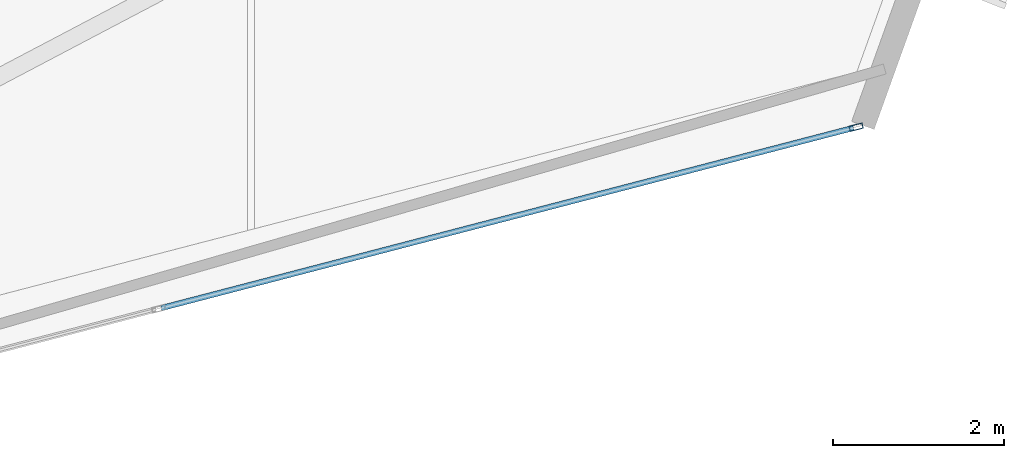
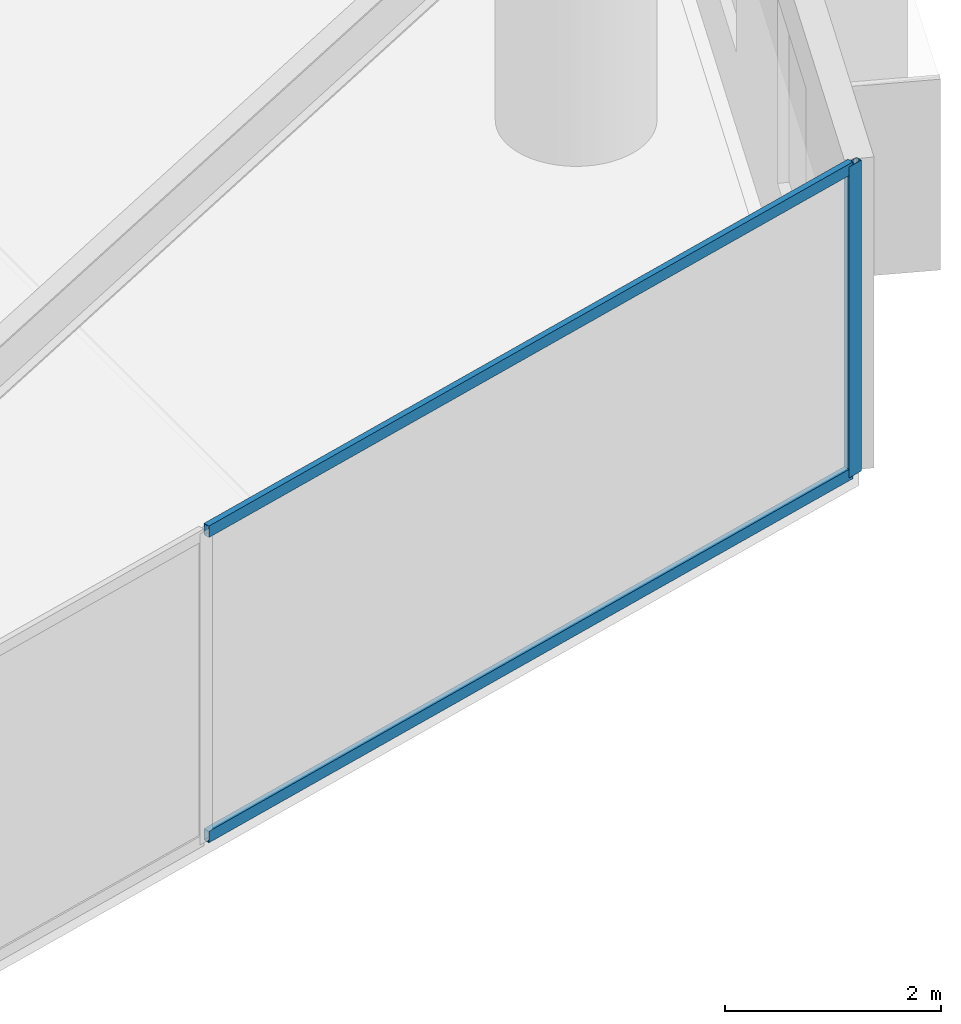
# One storey, part 12 of 21: 3 members, 1 element without a shape of its own.
"""IFC4 building model written with IfcOpenShell, lengths in metres."""

from ifc_helpers import new_model, si_unit, direction, frame, origin, origin_2d, place, context, subcontext, project, spatial, hollow_rectangle, extrude, material, layer, layer_set, material_profile, profile_set, type_object, element, aggregate, save


model = new_model("IFC4")

# Units and contexts
model_context = context("Model", 3, precision=1e-05, world=origin(), true_north=direction((0.0, 1.0)))
body_context = subcontext(model_context, "Body", "Model", "MODEL_VIEW")
ifc_project = project(units=[si_unit("LENGTHUNIT", "METRE"), si_unit("AREAUNIT", "SQUARE_METRE"), si_unit("VOLUMEUNIT", "CUBIC_METRE"), si_unit("PLANEANGLEUNIT", "RADIAN"), si_unit("MASSUNIT", "GRAM", prefix="KILO")], contexts=[model_context])

# Site, building, storey
site_placement = place(None, origin())
site = spatial("IfcSite", under=ifc_project, at=site_placement, CompositionType="ELEMENT")
building_placement = place(site_placement, origin())
building = spatial("IfcBuilding", under=site, at=building_placement, Name="Qianvela Tower", CompositionType="ELEMENT")
storey_placement = place(building_placement, frame((0.0, 0.0, 105.199951171875)))
storey = spatial("IfcBuildingStorey", under=building, at=storey_placement, Name="L26", CompositionType="ELEMENT", Elevation=105.199951171875)

# Curtain wall, members
ifc_material_1 = material(Name="Anodised Architectural Aluminium and Low-E Glass", Category="aluminium")
ifc_layer = layer(ifc_material_1, 0.169921875)
ifc_layer_set = layer_set([ifc_layer], Name="Anodised Architectural Aluminium and Low-E Glass")
curtain_wall_type = type_object("IfcCurtainWallType", Name="CW-COLIV-Z34", PredefinedType="USERDEFINED", material=ifc_layer_set)
curtain_wall_placement = place(storey_placement, origin())
curtain_wall = element("IfcCurtainWall", 1, at=curtain_wall_placement, inside=storey, type_object=curtain_wall_type, Name="L26 CW-COLIV-Z34 Curtain Wall 06B", ObjectType="CURTAIN_WALL_SYSTEM", PredefinedType="USERDEFINED")
ifc_material_2 = material(Name="Anodised Architectural Aluminium 6063-T6", Category="aluminium")
ifc_material_profile_1 = material_profile(ifc_material_2, hollow_rectangle(XDim=0.06494140625, YDim=0.159912109375, WallThickness=0.0048828125, at=origin_2d()), Name="ALU-MULL-65x160")
ifc_profile_set_1 = profile_set([ifc_material_profile_1], Name="Anodised Architectural Aluminium 6063-T6")
member_type_1 = type_object("IfcMemberType", Name="CW-COLIV-Z34-MULL", PredefinedType="MULLION", material=ifc_profile_set_1)
member_1_placement = place(storey_placement, frame((56.57666015625, 17.757080078125, 0.0), z_axis=(0.0, 0.0, 1.0), x_axis=(-0.25195021381, 0.96774019745, 0.0)))
member_1 = element("IfcMember", 2, at=member_1_placement, type_object=member_type_1, Name="CW-4 mullion 4", PredefinedType="MULLION", context=body_context, shape_type="SweptSolid", body=[
    extrude(hollow_rectangle(XDim=0.06494140625, YDim=0.159912109375, WallThickness=0.0048828125, at=origin_2d()), origin(), (0.0, 0.0, 1.0), 3.52001953125),
])
ifc_material_3 = material(Name="Anodised Architectural Aluminium 6063-T6", Category="aluminium")
ifc_material_profile_2 = material_profile(ifc_material_3, hollow_rectangle(XDim=0.06494140625, YDim=0.1298828125, WallThickness=0.00439453125, at=origin_2d()), Name="ALU-TRAN-65x130")
ifc_profile_set_2 = profile_set([ifc_material_profile_2], Name="Anodised Architectural Aluminium 6063-T6")
member_type_2 = type_object("IfcMemberType", Name="CW-COLIV-Z34-TRAN", PredefinedType="USERDEFINED", material=ifc_profile_set_2)
member_2_placement = place(storey_placement, frame((48.431640625, 15.636474609375, 0.032470703125), z_axis=(0.967741468659, 0.251945331051, 0.0), x_axis=(-0.251945331051, 0.967741468659, 0.0)))
member_2 = element("IfcMember", 3, at=member_2_placement, type_object=member_type_2, Name="CW-4 transom 3.1", ObjectType="TRANSOM", PredefinedType="USERDEFINED", context=body_context, shape_type="SweptSolid", body=[
    extrude(hollow_rectangle(XDim=0.06494140625, YDim=0.1298828125, WallThickness=0.00439453125, at=origin_2d()), origin(), (0.0, 0.0, 1.0), 8.384033203125),
])
member_3_placement = place(storey_placement, frame((48.431640625, 15.636474609375, 3.487548828125), z_axis=(0.967741468659, 0.251945331051, 0.0), x_axis=(-0.251945331051, 0.967741468659, 0.0)))
member_3 = element("IfcMember", 4, at=member_3_placement, type_object=member_type_2, Name="CW-4 transom 3.2", ObjectType="TRANSOM", PredefinedType="USERDEFINED", context=body_context, shape_type="SweptSolid", body=[
    extrude(hollow_rectangle(XDim=0.06494140625, YDim=0.1298828125, WallThickness=0.00439453125, at=origin_2d()), origin(), (0.0, 0.0, 1.0), 8.384033203125),
])
aggregate(curtain_wall, [member_1, member_2, member_3])

save(model, "model.ifc")
